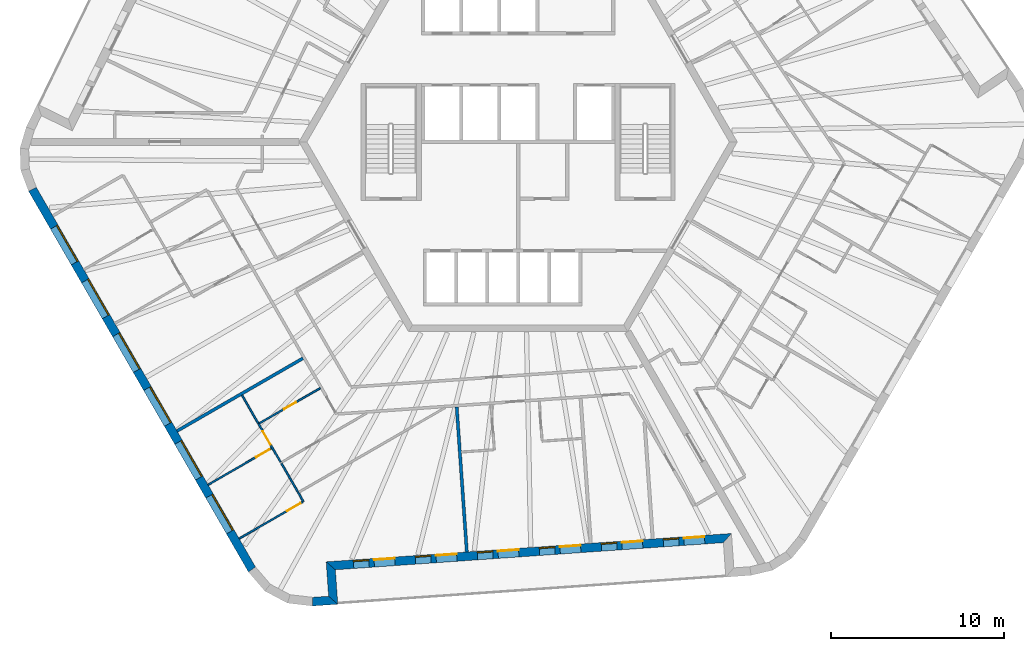
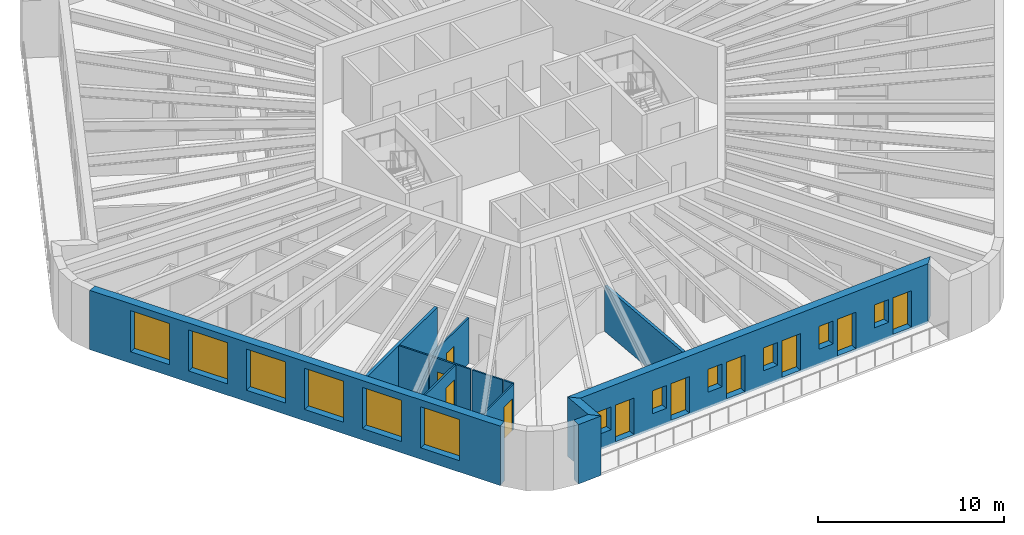
# One storey, part 3 of 12: 13 walls, 12 windows, 10 doors, 22 openings.
"""IFC4 building model written with IfcOpenShell, lengths in metres."""

from ifc_helpers import new_model, si_unit, direction, frame, frame_2d, origin, place, context, subcontext, project, spatial, polyline, rectangle, outline, extrude, material, layer, layer_set, type_object, element, fill, save


model = new_model("IFC4")

# Units and contexts
model_context = context("Model", 3, precision=1e-05, world=origin(), true_north=direction((0.0, 1.0)))
body_context = subcontext(model_context, "Body", "Model", "MODEL_VIEW")
ifc_project = project(units=[si_unit("LENGTHUNIT", "METRE"), si_unit("AREAUNIT", "SQUARE_METRE"), si_unit("VOLUMEUNIT", "CUBIC_METRE"), si_unit("PLANEANGLEUNIT", "RADIAN"), si_unit("MASSUNIT", "GRAM", prefix="KILO")], contexts=[model_context])

# Site, building, storey
site_placement = place(None, origin())
site = spatial("IfcSite", under=ifc_project, at=site_placement, CompositionType="ELEMENT")
building_placement = place(site_placement, origin())
building = spatial("IfcBuilding", under=site, at=building_placement, Name="Tarnside Tower", CompositionType="ELEMENT")
storey_placement = place(building_placement, frame((0.0, 0.0, 271.800048828125)))
storey = spatial("IfcBuildingStorey", under=building, at=storey_placement, Name="L65", CompositionType="ELEMENT", Elevation=271.800048828125)

# Wall, opening, door
ifc_material_1 = material(Name="Gypsum board partition on steel studs", Category="steel")
ifc_layer_1 = layer(ifc_material_1, 0.10009765625)
ifc_layer_set_1 = layer_set([ifc_layer_1], Name="Bathroom wall 100")
wall_type_1 = type_object("IfcWallType", Name="Bathroom wall 100", PredefinedType="PARTITIONING", material=ifc_layer_set_1)
wall_1_placement = place(storey_placement, frame((-11.47509765625, -14.274658203125, 0.0), z_axis=(0.0, 0.0, 1.0), x_axis=(-0.866019999656, -0.500009360108, 0.0)))
wall_1 = element("IfcWall", 1, at=wall_1_placement, inside=storey, type_object=wall_type_1, Name="Bathroom wall 21130", PredefinedType="PARTITIONING", context=body_context, shape_type="SweptSolid", body=[
    extrude(rectangle(XDim=4.125, YDim=0.10009765625, at=frame_2d((2.0625, 0.0))), origin(), (0.0, 0.0, 1.0), 2.98779296875),
])
opening_1_placement = place(wall_1_placement, frame((1.625, 0.0, 0.0)))
opening_1 = element("IfcOpeningElement", 2, at=opening_1_placement, cuts=wall_1, Name="Opening D-B1", PredefinedType="OPENING", context=body_context, shape_type="SweptSolid", body=[
    extrude(rectangle(XDim=0.800048828125, YDim=2.10009765625, at=frame_2d((0.39990234375, 1.050048828125))), frame((0.0, 0.06005859375, 0.0), z_axis=(0.0, -1.0, 0.0), x_axis=(1.0, 0.0, 0.0)), (0.0, 0.0, 1.0), 0.1201171875),
])
ifc_material_2 = material(Name="Timber door leaf", Category="wood")
door_type_1 = type_object("IfcDoorType", Name="Bathroom door 800", OperationType="NOTDEFINED", PredefinedType="DOOR", material=ifc_material_2)
door_1_placement = place(opening_1_placement, origin())
door_1 = element("IfcDoor", 3, at=door_1_placement, inside=storey, type_object=door_type_1, Name="Bathroom door 21034", OperationType="SINGLE_SWING_RIGHT", OverallHeight=2.10009765625, OverallWidth=0.800048828125, PredefinedType="DOOR", context=body_context, shape_type="SweptSolid", body=[
    extrude(rectangle(XDim=0.800048828125, YDim=2.10009765625, at=frame_2d((0.39990234375, 1.050048828125))), frame((0.0, 0.02490234375, 0.0), z_axis=(0.0, -1.0, 0.0), x_axis=(1.0, 0.0, 0.0)), (0.0, 0.0, 1.0), 0.050048828125),
])
fill(opening_1, door_1)

# Walls
wall_2_placement = place(storey_placement, frame((-16.00244140625, -14.68310546875, 0.0), z_axis=(0.0, 0.0, 1.0), x_axis=(0.500059143742, -0.865991254436, 0.0)))
element("IfcWall", 4, at=wall_2_placement, inside=storey, type_object=wall_type_1, Name="Bathroom wall 21134", PredefinedType="PARTITIONING", context=body_context, shape_type="SweptSolid", body=[
    extrude(rectangle(XDim=1.862060546875, YDim=0.10009765625, at=frame_2d((0.93115234375, 0.0))), origin(), (0.0, 0.0, 1.0), 2.98779296875),
])
wall_3_placement = place(storey_placement, frame((-12.7724609375, -20.277587890625, 0.0), z_axis=(0.0, 0.0, 1.0), x_axis=(-0.499967155389, 0.866044365799, 0.0)))
element("IfcWall", 5, at=wall_3_placement, inside=storey, type_object=wall_type_1, Name="Bathroom wall 21136", PredefinedType="PARTITIONING", context=body_context, shape_type="SweptSolid", body=[
    extrude(rectangle(XDim=1.900146484375, YDim=0.10009765625, at=frame_2d((0.9501953125, 0.0))), origin(), (0.0, 0.0, 1.0), 2.98779296875),
])
ifc_layer_2 = layer(ifc_material_1, 0.179931640625)
ifc_layer_set_2 = layer_set([ifc_layer_2], Name="Demising wall 180 EI 60")
wall_type_2 = type_object("IfcWallType", Name="Demising wall 180 EI 60", PredefinedType="PARTITIONING", material=ifc_layer_set_2)
wall_4_placement = place(storey_placement, frame((-19.771240234375, -16.755126953125, 0.0), z_axis=(0.0, 0.0, 1.0), x_axis=(0.866026819143, 0.499997548519, 0.0)))
element("IfcWall", 6, at=wall_4_placement, inside=storey, type_object=wall_type_2, Name="Demising wall 21118", PredefinedType="PARTITIONING", context=body_context, shape_type="SweptSolid", body=[
    extrude(rectangle(XDim=8.4248046875, YDim=0.179931640625, at=frame_2d((4.21240234375, 0.0))), origin(), (0.0, 0.0, 1.0), 2.98779296875),
])
wall_5_placement = place(storey_placement, frame((-2.97412109375, -23.765380859375, 0.0), z_axis=(0.0, 0.0, 1.0), x_axis=(-0.069749826803, 0.997564515037, 0.0)))
element("IfcWall", 7, at=wall_5_placement, inside=storey, type_object=wall_type_2, Name="Demising wall 21128", PredefinedType="PARTITIONING", context=body_context, shape_type="SweptSolid", body=[
    extrude(rectangle(XDim=8.425048828125, YDim=0.179931640625, at=frame_2d((4.21240234375, 0.0))), origin(), (0.0, 0.0, 1.0), 2.98779296875),
])
ifc_material_3 = material(Name="Dark zinc cladding")
ifc_layer_3 = layer(ifc_material_3, 0.10205078125)
ifc_material_4 = material(Name="Concrete C60/75 precast", Category="concrete")
ifc_layer_4 = layer(ifc_material_4, 0.298095703125)
ifc_material_5 = material(Name="Mineral wool insulation")
ifc_layer_5 = layer(ifc_material_5, 0.10009765625)
ifc_layer_set_3 = layer_set([ifc_layer_3, ifc_layer_4, ifc_layer_5], Name="Loggia wall 500 zinc faced")
wall_type_3 = type_object("IfcWallType", Name="Loggia wall 500 zinc faced", PredefinedType="SOLIDWALL", material=ifc_layer_set_3)
wall_6_placement = place(storey_placement, frame((-11.91748046875, -26.646240234375, -0.150146484375), z_axis=(0.0, 0.0, 1.0), x_axis=(0.997562933087, 0.069772448216, 0.0)))
element("IfcWall", 8, at=wall_6_placement, inside=storey, type_object=wall_type_3, Name="Tube wall L65 F4 stub 16", PredefinedType="SOLIDWALL", context=body_context, shape_type="SweptSolid", body=[
    extrude(outline(polyline([(-0.0234375, -0.25), (1.4501953125, -0.25), (0.9501953125, 0.25), (0.0234375, 0.25), (-0.0234375, -0.25)])), origin(), (0.0, 0.0, 1.0), 3.900146484375),
])
wall_7_placement = place(storey_placement, frame((-10.72021484375, -26.5625, -0.150146484375), z_axis=(0.0, 0.0, 1.0), x_axis=(-0.069824268692, 0.99755930726, 0.0)))
element("IfcWall", 9, at=wall_7_placement, inside=storey, type_object=wall_type_3, Name="Tube wall L65 F4 return 17", PredefinedType="SOLIDWALL", context=body_context, shape_type="SweptSolid", body=[
    extrude(outline(polyline([(-0.25, -0.25), (1.75, -0.25), (2.25, 0.25), (0.25, 0.25), (-0.25, -0.25)])), origin(), (0.0, 0.0, 1.0), 3.900146484375),
])

# Wall, openings, doors, windows
wall_8_placement = place(storey_placement, frame((-10.85986328125, -24.5673828125, -0.150146484375), z_axis=(0.0, 0.0, 1.0), x_axis=(0.997564329317, 0.06975248292, 0.0)))
wall_8 = element("IfcWall", 10, at=wall_8_placement, inside=storey, type_object=wall_type_3, Name="Tube wall L65 F4 back 18", PredefinedType="SOLIDWALL", context=body_context, shape_type="SweptSolid", body=[
    extrude(outline(polyline([(0.25, -0.25), (22.794677734375, -0.25), (23.294677734375, 0.25), (-0.25, 0.25), (0.25, -0.25)])), origin(), (0.0, 0.0, 1.0), 3.900146484375),
])
opening_2_placement = place(wall_8_placement, frame((1.322509765625, 0.0, 1.050048828125)))
opening_2 = element("IfcOpeningElement", 11, at=opening_2_placement, cuts=wall_8, Name="Opening WL500", PredefinedType="OPENING", context=body_context, shape_type="SweptSolid", body=[
    extrude(rectangle(XDim=0.89990234375, YDim=1.5, at=frame_2d((0.449951171875, 0.75))), frame((0.0, 0.260009765625, 0.0), z_axis=(0.0, -1.0, 0.0), x_axis=(1.0, 0.0, 0.0)), (0.0, 0.0, 1.0), 0.52001953125),
])
opening_3_placement = place(wall_8_placement, frame((2.5224609375, 0.0, 0.14990234375)))
opening_3 = element("IfcOpeningElement", 12, at=opening_3_placement, cuts=wall_8, Name="Opening DB500", PredefinedType="OPENING", context=body_context, shape_type="SweptSolid", body=[
    extrude(rectangle(XDim=1.199951171875, YDim=2.39990234375, at=frame_2d((0.60009765625, 1.199951171875))), frame((0.0, 0.260009765625, 0.0), z_axis=(0.0, -1.0, 0.0), x_axis=(1.0, 0.0, 0.0)), (0.0, 0.0, 1.0), 0.52001953125),
])
opening_4_placement = place(wall_8_placement, frame((4.92236328125, 0.0, 1.050048828125)))
opening_4 = element("IfcOpeningElement", 13, at=opening_4_placement, cuts=wall_8, Name="Opening WL500", PredefinedType="OPENING", context=body_context, shape_type="SweptSolid", body=[
    extrude(rectangle(XDim=0.89990234375, YDim=1.5, at=frame_2d((0.449951171875, 0.75))), frame((0.0, 0.260009765625, 0.0), z_axis=(0.0, -1.0, 0.0), x_axis=(1.0, 0.0, 0.0)), (0.0, 0.0, 1.0), 0.52001953125),
])
opening_5_placement = place(wall_8_placement, frame((6.122314453125, 0.0, 0.14990234375)))
opening_5 = element("IfcOpeningElement", 14, at=opening_5_placement, cuts=wall_8, Name="Opening DB500", PredefinedType="OPENING", context=body_context, shape_type="SweptSolid", body=[
    extrude(rectangle(XDim=1.199951171875, YDim=2.39990234375, at=frame_2d((0.60009765625, 1.199951171875))), frame((0.0, 0.260009765625, 0.0), z_axis=(0.0, -1.0, 0.0), x_axis=(1.0, 0.0, 0.0)), (0.0, 0.0, 1.0), 0.52001953125),
])
opening_6_placement = place(wall_8_placement, frame((8.5224609375, 0.0, 1.050048828125)))
opening_6 = element("IfcOpeningElement", 15, at=opening_6_placement, cuts=wall_8, Name="Opening WL500", PredefinedType="OPENING", context=body_context, shape_type="SweptSolid", body=[
    extrude(rectangle(XDim=0.89990234375, YDim=1.5, at=frame_2d((0.449951171875, 0.75))), frame((0.0, 0.260009765625, 0.0), z_axis=(0.0, -1.0, 0.0), x_axis=(1.0, 0.0, 0.0)), (0.0, 0.0, 1.0), 0.52001953125),
])
opening_7_placement = place(wall_8_placement, frame((9.722412109375, 0.0, 0.14990234375)))
opening_7 = element("IfcOpeningElement", 16, at=opening_7_placement, cuts=wall_8, Name="Opening DB500", PredefinedType="OPENING", context=body_context, shape_type="SweptSolid", body=[
    extrude(rectangle(XDim=1.199951171875, YDim=2.39990234375, at=frame_2d((0.60009765625, 1.199951171875))), frame((0.0, 0.260009765625, 0.0), z_axis=(0.0, -1.0, 0.0), x_axis=(1.0, 0.0, 0.0)), (0.0, 0.0, 1.0), 0.52001953125),
])
opening_8_placement = place(wall_8_placement, frame((12.122314453125, 0.0, 1.050048828125)))
opening_8 = element("IfcOpeningElement", 17, at=opening_8_placement, cuts=wall_8, Name="Opening WL500", PredefinedType="OPENING", context=body_context, shape_type="SweptSolid", body=[
    extrude(rectangle(XDim=0.89990234375, YDim=1.5, at=frame_2d((0.449951171875, 0.75))), frame((0.0, 0.260009765625, 0.0), z_axis=(0.0, -1.0, 0.0), x_axis=(1.0, 0.0, 0.0)), (0.0, 0.0, 1.0), 0.52001953125),
])
opening_9_placement = place(wall_8_placement, frame((13.322509765625, 0.0, 0.14990234375)))
opening_9 = element("IfcOpeningElement", 18, at=opening_9_placement, cuts=wall_8, Name="Opening DB500", PredefinedType="OPENING", context=body_context, shape_type="SweptSolid", body=[
    extrude(rectangle(XDim=1.199951171875, YDim=2.39990234375, at=frame_2d((0.60009765625, 1.199951171875))), frame((0.0, 0.260009765625, 0.0), z_axis=(0.0, -1.0, 0.0), x_axis=(1.0, 0.0, 0.0)), (0.0, 0.0, 1.0), 0.52001953125),
])
opening_10_placement = place(wall_8_placement, frame((15.722412109375, 0.0, 1.050048828125)))
opening_10 = element("IfcOpeningElement", 19, at=opening_10_placement, cuts=wall_8, Name="Opening WL500", PredefinedType="OPENING", context=body_context, shape_type="SweptSolid", body=[
    extrude(rectangle(XDim=0.89990234375, YDim=1.5, at=frame_2d((0.449951171875, 0.75))), frame((0.0, 0.260009765625, 0.0), z_axis=(0.0, -1.0, 0.0), x_axis=(1.0, 0.0, 0.0)), (0.0, 0.0, 1.0), 0.52001953125),
])
opening_11_placement = place(wall_8_placement, frame((16.92236328125, 0.0, 0.14990234375)))
opening_11 = element("IfcOpeningElement", 20, at=opening_11_placement, cuts=wall_8, Name="Opening DB500", PredefinedType="OPENING", context=body_context, shape_type="SweptSolid", body=[
    extrude(rectangle(XDim=1.199951171875, YDim=2.39990234375, at=frame_2d((0.60009765625, 1.199951171875))), frame((0.0, 0.260009765625, 0.0), z_axis=(0.0, -1.0, 0.0), x_axis=(1.0, 0.0, 0.0)), (0.0, 0.0, 1.0), 0.52001953125),
])
opening_12_placement = place(wall_8_placement, frame((19.322509765625, 0.0, 1.050048828125)))
opening_12 = element("IfcOpeningElement", 21, at=opening_12_placement, cuts=wall_8, Name="Opening WL500", PredefinedType="OPENING", context=body_context, shape_type="SweptSolid", body=[
    extrude(rectangle(XDim=0.89990234375, YDim=1.5, at=frame_2d((0.449951171875, 0.75))), frame((0.0, 0.260009765625, 0.0), z_axis=(0.0, -1.0, 0.0), x_axis=(1.0, 0.0, 0.0)), (0.0, 0.0, 1.0), 0.52001953125),
])
opening_13_placement = place(wall_8_placement, frame((20.5224609375, 0.0, 0.14990234375)))
opening_13 = element("IfcOpeningElement", 22, at=opening_13_placement, cuts=wall_8, Name="Opening DB500", PredefinedType="OPENING", context=body_context, shape_type="SweptSolid", body=[
    extrude(rectangle(XDim=1.199951171875, YDim=2.39990234375, at=frame_2d((0.60009765625, 1.199951171875))), frame((0.0, 0.260009765625, 0.0), z_axis=(0.0, -1.0, 0.0), x_axis=(1.0, 0.0, 0.0)), (0.0, 0.0, 1.0), 0.52001953125),
])
ifc_material_6 = material(Name="Aluminium-framed double glazing", Category="aluminium")
door_type_2 = type_object("IfcDoorType", Name="Balcony sliding door 1200 x 2400 in 500 wall", OperationType="SLIDING_TO_LEFT", PredefinedType="DOOR", material=ifc_material_6)
door_2_placement = place(opening_3_placement, frame((0.0, 0.1748046875, 0.0)))
door_2 = element("IfcDoor", 23, at=door_2_placement, inside=storey, type_object=door_type_2, Name="E.BD.L65.F4.00", OperationType="SLIDING_TO_LEFT", OverallHeight=2.39990234375, OverallWidth=1.199951171875, PredefinedType="DOOR", context=body_context, shape_type="SweptSolid", body=[
    extrude(rectangle(XDim=1.199951171875, YDim=2.39990234375, at=frame_2d((0.60009765625, 1.199951171875))), frame((0.0, 0.02490234375, 0.0), z_axis=(0.0, -1.0, 0.0), x_axis=(1.0, 0.0, 0.0)), (0.0, 0.0, 1.0), 0.050048828125),
])
fill(opening_3, door_2)
door_3_placement = place(opening_5_placement, frame((0.0, 0.1748046875, 0.0)))
door_3 = element("IfcDoor", 24, at=door_3_placement, inside=storey, type_object=door_type_2, Name="E.BD.L65.F4.01", OperationType="SLIDING_TO_LEFT", OverallHeight=2.39990234375, OverallWidth=1.199951171875, PredefinedType="DOOR", context=body_context, shape_type="SweptSolid", body=[
    extrude(rectangle(XDim=1.199951171875, YDim=2.39990234375, at=frame_2d((0.60009765625, 1.199951171875))), frame((0.0, 0.02490234375, 0.0), z_axis=(0.0, -1.0, 0.0), x_axis=(1.0, 0.0, 0.0)), (0.0, 0.0, 1.0), 0.050048828125),
])
fill(opening_5, door_3)
door_4_placement = place(opening_7_placement, frame((0.0, 0.1748046875, 0.0)))
door_4 = element("IfcDoor", 25, at=door_4_placement, inside=storey, type_object=door_type_2, Name="E.BD.L65.F4.02", OperationType="SLIDING_TO_LEFT", OverallHeight=2.39990234375, OverallWidth=1.199951171875, PredefinedType="DOOR", context=body_context, shape_type="SweptSolid", body=[
    extrude(rectangle(XDim=1.199951171875, YDim=2.39990234375, at=frame_2d((0.60009765625, 1.199951171875))), frame((0.0, 0.02490234375, 0.0), z_axis=(0.0, -1.0, 0.0), x_axis=(1.0, 0.0, 0.0)), (0.0, 0.0, 1.0), 0.050048828125),
])
fill(opening_7, door_4)
door_5_placement = place(opening_9_placement, frame((0.0, 0.1748046875, 0.0)))
door_5 = element("IfcDoor", 26, at=door_5_placement, inside=storey, type_object=door_type_2, Name="E.BD.L65.F4.03", OperationType="SLIDING_TO_LEFT", OverallHeight=2.39990234375, OverallWidth=1.199951171875, PredefinedType="DOOR", context=body_context, shape_type="SweptSolid", body=[
    extrude(rectangle(XDim=1.199951171875, YDim=2.39990234375, at=frame_2d((0.60009765625, 1.199951171875))), frame((0.0, 0.02490234375, 0.0), z_axis=(0.0, -1.0, 0.0), x_axis=(1.0, 0.0, 0.0)), (0.0, 0.0, 1.0), 0.050048828125),
])
fill(opening_9, door_5)
door_6_placement = place(opening_11_placement, frame((0.0, 0.1748046875, 0.0)))
door_6 = element("IfcDoor", 27, at=door_6_placement, inside=storey, type_object=door_type_2, Name="E.BD.L65.F4.04", OperationType="SLIDING_TO_LEFT", OverallHeight=2.39990234375, OverallWidth=1.199951171875, PredefinedType="DOOR", context=body_context, shape_type="SweptSolid", body=[
    extrude(rectangle(XDim=1.199951171875, YDim=2.39990234375, at=frame_2d((0.60009765625, 1.199951171875))), frame((0.0, 0.02490234375, 0.0), z_axis=(0.0, -1.0, 0.0), x_axis=(1.0, 0.0, 0.0)), (0.0, 0.0, 1.0), 0.050048828125),
])
fill(opening_11, door_6)
door_7_placement = place(opening_13_placement, frame((0.0, 0.1748046875, 0.0)))
door_7 = element("IfcDoor", 28, at=door_7_placement, inside=storey, type_object=door_type_2, Name="E.BD.L65.F4.05", OperationType="SLIDING_TO_LEFT", OverallHeight=2.39990234375, OverallWidth=1.199951171875, PredefinedType="DOOR", context=body_context, shape_type="SweptSolid", body=[
    extrude(rectangle(XDim=1.199951171875, YDim=2.39990234375, at=frame_2d((0.60009765625, 1.199951171875))), frame((0.0, 0.02490234375, 0.0), z_axis=(0.0, -1.0, 0.0), x_axis=(1.0, 0.0, 0.0)), (0.0, 0.0, 1.0), 0.050048828125),
])
fill(opening_13, door_7)
window_type_1 = type_object("IfcWindowType", Name="Loggia window 900 x 1500 in 500 wall", PartitioningType="SINGLE_PANEL", PredefinedType="WINDOW", material=ifc_material_6)
window_1_placement = place(opening_2_placement, frame((0.0, 0.179931640625, 0.0)))
window_1 = element("IfcWindow", 29, at=window_1_placement, inside=storey, type_object=window_type_1, Name="E.LW.L65.F4.00", OverallHeight=1.5, OverallWidth=0.89990234375, PartitioningType="SINGLE_PANEL", PredefinedType="WINDOW", context=body_context, shape_type="SweptSolid", body=[
    extrude(rectangle(XDim=0.89990234375, YDim=1.5, at=frame_2d((0.449951171875, 0.75))), frame((0.0, 0.030029296875, 0.0), z_axis=(0.0, -1.0, 0.0), x_axis=(1.0, 0.0, 0.0)), (0.0, 0.0, 1.0), 0.06005859375),
])
fill(opening_2, window_1)
window_2_placement = place(opening_4_placement, frame((0.0, 0.179931640625, 0.0)))
window_2 = element("IfcWindow", 30, at=window_2_placement, inside=storey, type_object=window_type_1, Name="E.LW.L65.F4.01", OverallHeight=1.5, OverallWidth=0.89990234375, PartitioningType="SINGLE_PANEL", PredefinedType="WINDOW", context=body_context, shape_type="SweptSolid", body=[
    extrude(rectangle(XDim=0.89990234375, YDim=1.5, at=frame_2d((0.449951171875, 0.75))), frame((0.0, 0.030029296875, 0.0), z_axis=(0.0, -1.0, 0.0), x_axis=(1.0, 0.0, 0.0)), (0.0, 0.0, 1.0), 0.06005859375),
])
fill(opening_4, window_2)
window_3_placement = place(opening_6_placement, frame((0.0, 0.179931640625, 0.0)))
window_3 = element("IfcWindow", 31, at=window_3_placement, inside=storey, type_object=window_type_1, Name="E.LW.L65.F4.02", OverallHeight=1.5, OverallWidth=0.89990234375, PartitioningType="SINGLE_PANEL", PredefinedType="WINDOW", context=body_context, shape_type="SweptSolid", body=[
    extrude(rectangle(XDim=0.89990234375, YDim=1.5, at=frame_2d((0.449951171875, 0.75))), frame((0.0, 0.030029296875, 0.0), z_axis=(0.0, -1.0, 0.0), x_axis=(1.0, 0.0, 0.0)), (0.0, 0.0, 1.0), 0.06005859375),
])
fill(opening_6, window_3)
window_4_placement = place(opening_8_placement, frame((0.0, 0.179931640625, 0.0)))
window_4 = element("IfcWindow", 32, at=window_4_placement, inside=storey, type_object=window_type_1, Name="E.LW.L65.F4.03", OverallHeight=1.5, OverallWidth=0.89990234375, PartitioningType="SINGLE_PANEL", PredefinedType="WINDOW", context=body_context, shape_type="SweptSolid", body=[
    extrude(rectangle(XDim=0.89990234375, YDim=1.5, at=frame_2d((0.449951171875, 0.75))), frame((0.0, 0.030029296875, 0.0), z_axis=(0.0, -1.0, 0.0), x_axis=(1.0, 0.0, 0.0)), (0.0, 0.0, 1.0), 0.06005859375),
])
fill(opening_8, window_4)
window_5_placement = place(opening_10_placement, frame((0.0, 0.179931640625, 0.0)))
window_5 = element("IfcWindow", 33, at=window_5_placement, inside=storey, type_object=window_type_1, Name="E.LW.L65.F4.04", OverallHeight=1.5, OverallWidth=0.89990234375, PartitioningType="SINGLE_PANEL", PredefinedType="WINDOW", context=body_context, shape_type="SweptSolid", body=[
    extrude(rectangle(XDim=0.89990234375, YDim=1.5, at=frame_2d((0.449951171875, 0.75))), frame((0.0, 0.030029296875, 0.0), z_axis=(0.0, -1.0, 0.0), x_axis=(1.0, 0.0, 0.0)), (0.0, 0.0, 1.0), 0.06005859375),
])
fill(opening_10, window_5)
window_6_placement = place(opening_12_placement, frame((0.0, 0.179931640625, 0.0)))
window_6 = element("IfcWindow", 34, at=window_6_placement, inside=storey, type_object=window_type_1, Name="E.LW.L65.F4.05", OverallHeight=1.5, OverallWidth=0.89990234375, PartitioningType="SINGLE_PANEL", PredefinedType="WINDOW", context=body_context, shape_type="SweptSolid", body=[
    extrude(rectangle(XDim=0.89990234375, YDim=1.5, at=frame_2d((0.449951171875, 0.75))), frame((0.0, 0.030029296875, 0.0), z_axis=(0.0, -1.0, 0.0), x_axis=(1.0, 0.0, 0.0)), (0.0, 0.0, 1.0), 0.06005859375),
])
fill(opening_12, window_6)

# Wall
ifc_layer_6 = layer(ifc_material_1, 0.10009765625)
ifc_layer_set_4 = layer_set([ifc_layer_6], Name="Partition 100")
wall_type_4 = type_object("IfcWallType", Name="Partition 100", PredefinedType="PARTITIONING", material=ifc_layer_set_4)
wall_9_placement = place(storey_placement, frame((-12.748291015625, -20.3193359375, 0.0), z_axis=(0.0, 0.0, 1.0), x_axis=(0.500108649621, -0.865962665808, 0.0)))
element("IfcWall", 35, at=wall_9_placement, inside=storey, type_object=wall_type_4, Name="Partition wall 21125", PredefinedType="PARTITIONING", context=body_context, shape_type="SweptSolid", body=[
    extrude(rectangle(XDim=0.601806640625, YDim=0.10009765625, at=frame_2d((0.30078125, 0.0))), origin(), (0.0, 0.0, 1.0), 2.98779296875),
])

# Wall, opening, door
wall_10_placement = place(storey_placement, frame((-12.49072265625, -20.865478515625, 0.0), z_axis=(0.0, 0.0, 1.0), x_axis=(-0.866014341725, -0.50001915956, 0.0)))
wall_10 = element("IfcWall", 36, at=wall_10_placement, inside=storey, type_object=wall_type_4, Name="Partition wall 21126", PredefinedType="PARTITIONING", context=body_context, shape_type="SweptSolid", body=[
    extrude(rectangle(XDim=4.249755859375, YDim=0.10009765625, at=frame_2d((2.125, 0.0))), origin(), (0.0, 0.0, 1.0), 2.98779296875),
])
opening_14_placement = place(wall_10_placement, frame((0.14990234375, 0.0, 0.0)))
opening_14 = element("IfcOpeningElement", 37, at=opening_14_placement, cuts=wall_10, Name="Opening D-I1", PredefinedType="OPENING", context=body_context, shape_type="SweptSolid", body=[
    extrude(rectangle(XDim=0.89990234375, YDim=2.10009765625, at=frame_2d((0.449951171875, 1.050048828125))), frame((0.0, 0.06005859375, 0.0), z_axis=(0.0, -1.0, 0.0), x_axis=(1.0, 0.0, 0.0)), (0.0, 0.0, 1.0), 0.1201171875),
])
door_type_3 = type_object("IfcDoorType", Name="Internal door 900", OperationType="NOTDEFINED", PredefinedType="DOOR", material=ifc_material_2)
door_8_placement = place(opening_14_placement, origin())
door_8 = element("IfcDoor", 38, at=door_8_placement, inside=storey, type_object=door_type_3, Name="Internal door 21040", OperationType="SINGLE_SWING_RIGHT", OverallHeight=2.10009765625, OverallWidth=0.89990234375, PredefinedType="DOOR", context=body_context, shape_type="SweptSolid", body=[
    extrude(rectangle(XDim=0.89990234375, YDim=2.10009765625, at=frame_2d((0.449951171875, 1.050048828125))), frame((0.0, 0.02490234375, 0.0), z_axis=(0.0, -1.0, 0.0), x_axis=(1.0, 0.0, 0.0)), (0.0, 0.0, 1.0), 0.050048828125),
])
fill(opening_14, door_8)

wall_11_placement = place(storey_placement, frame((-15.04833984375, -16.33544921875, 0.0), z_axis=(0.0, 0.0, 1.0), x_axis=(0.500014808323, -0.866016854026, 0.0)))
wall_11 = element("IfcWall", 39, at=wall_11_placement, inside=storey, type_object=wall_type_4, Name="Partition wall 21131", PredefinedType="PARTITIONING", context=body_context, shape_type="SweptSolid", body=[
    extrude(rectangle(XDim=2.55419921875, YDim=0.10009765625, at=frame_2d((1.277099609375, 0.0))), origin(), (0.0, 0.0, 1.0), 2.98779296875),
])
opening_15_placement = place(wall_11_placement, frame((0.501953125, 0.0, 0.0)))
opening_15 = element("IfcOpeningElement", 40, at=opening_15_placement, cuts=wall_11, Name="Opening D-I1", PredefinedType="OPENING", context=body_context, shape_type="SweptSolid", body=[
    extrude(rectangle(XDim=0.89990234375, YDim=2.10009765625, at=frame_2d((0.449951171875, 1.050048828125))), frame((0.0, 0.06005859375, 0.0), z_axis=(0.0, -1.0, 0.0), x_axis=(1.0, 0.0, 0.0)), (0.0, 0.0, 1.0), 0.1201171875),
])
door_9_placement = place(opening_15_placement, origin())
door_9 = element("IfcDoor", 41, at=door_9_placement, inside=storey, type_object=door_type_3, Name="Internal door 21036", OperationType="SINGLE_SWING_LEFT", OverallHeight=2.10009765625, OverallWidth=0.89990234375, PredefinedType="DOOR", context=body_context, shape_type="SweptSolid", body=[
    extrude(rectangle(XDim=0.89990234375, YDim=2.10009765625, at=frame_2d((0.449951171875, 1.050048828125))), frame((0.0, 0.02490234375, 0.0), z_axis=(0.0, -1.0, 0.0), x_axis=(1.0, 0.0, 0.0)), (0.0, 0.0, 1.0), 0.050048828125),
])
fill(opening_15, door_9)

wall_12_placement = place(storey_placement, frame((-17.97119140625, -19.872802734375, 0.0), z_axis=(0.0, 0.0, 1.0), x_axis=(0.866028703517, 0.499994284652, 0.0)))
wall_12 = element("IfcWall", 42, at=wall_12_placement, inside=storey, type_object=wall_type_4, Name="Partition wall 21135", PredefinedType="PARTITIONING", context=body_context, shape_type="SweptSolid", body=[
    extrude(rectangle(XDim=4.25, YDim=0.10009765625, at=frame_2d((2.125, 0.0))), origin(), (0.0, 0.0, 1.0), 2.98779296875),
])
opening_16_placement = place(wall_12_placement, frame((3.199951171875, 0.0, 0.0)))
opening_16 = element("IfcOpeningElement", 43, at=opening_16_placement, cuts=wall_12, Name="Opening D-I1", PredefinedType="OPENING", context=body_context, shape_type="SweptSolid", body=[
    extrude(rectangle(XDim=0.89990234375, YDim=2.10009765625, at=frame_2d((0.449951171875, 1.050048828125))), frame((0.0, 0.06005859375, 0.0), z_axis=(0.0, -1.0, 0.0), x_axis=(1.0, 0.0, 0.0)), (0.0, 0.0, 1.0), 0.1201171875),
])
door_10_placement = place(opening_16_placement, origin())
door_10 = element("IfcDoor", 44, at=door_10_placement, inside=storey, type_object=door_type_3, Name="Internal door 21039", OperationType="SINGLE_SWING_RIGHT", OverallHeight=2.10009765625, OverallWidth=0.89990234375, PredefinedType="DOOR", context=body_context, shape_type="SweptSolid", body=[
    extrude(rectangle(XDim=0.89990234375, YDim=2.10009765625, at=frame_2d((0.449951171875, 1.050048828125))), frame((0.0, 0.02490234375, 0.0), z_axis=(0.0, -1.0, 0.0), x_axis=(1.0, 0.0, 0.0)), (0.0, 0.0, 1.0), 0.050048828125),
])
fill(opening_16, door_10)

# Wall, openings, windows
ifc_material_7 = material(Name="Facing brick", Category="masonry")
ifc_layer_7 = layer(ifc_material_7, 0.10205078125)
ifc_layer_8 = layer(ifc_material_4, 0.298095703125)
ifc_layer_9 = layer(ifc_material_5, 0.10009765625)
ifc_layer_set_5 = layer_set([ifc_layer_7, ifc_layer_8, ifc_layer_9], Name="Tube wall 500 brick faced")
wall_type_5 = type_object("IfcWallType", Name="Tube wall 500 brick faced", PredefinedType="SOLIDWALL", material=ifc_layer_set_5)
wall_13_placement = place(storey_placement, frame((-28.14892578125, -2.74462890625, -0.150146484375), z_axis=(0.0, 0.0, 1.0), x_axis=(0.500003737743, -0.866023245787, 0.0)))
wall_13 = element("IfcWall", 45, at=wall_13_placement, inside=storey, type_object=wall_type_5, Name="Tube wall L65 F3 flush 12", PredefinedType="SOLIDWALL", context=body_context, shape_type="SweptSolid", body=[
    extrude(outline(polyline([(-0.0205078125, -0.25), (25.468017578125, -0.25), (25.421142578125, 0.25), (0.0205078125, 0.25), (-0.0205078125, -0.25)])), origin(), (0.0, 0.0, 1.0), 3.900146484375),
])
opening_17_placement = place(wall_13_placement, frame((2.5224609375, 0.0, 0.75)))
opening_17 = element("IfcOpeningElement", 46, at=opening_17_placement, cuts=wall_13, Name="Opening WR", PredefinedType="OPENING", context=body_context, shape_type="SweptSolid", body=[
    extrude(rectangle(XDim=2.39990234375, YDim=2.699951171875, at=frame_2d((1.199951171875, 1.35009765625))), frame((0.0, 0.260009765625, 0.0), z_axis=(0.0, -1.0, 0.0), x_axis=(1.0, 0.0, 0.0)), (0.0, 0.0, 1.0), 0.52001953125),
])
opening_18_placement = place(wall_13_placement, frame((6.122314453125, 0.0, 0.75)))
opening_18 = element("IfcOpeningElement", 47, at=opening_18_placement, cuts=wall_13, Name="Opening WR", PredefinedType="OPENING", context=body_context, shape_type="SweptSolid", body=[
    extrude(rectangle(XDim=2.39990234375, YDim=2.699951171875, at=frame_2d((1.199951171875, 1.35009765625))), frame((0.0, 0.260009765625, 0.0), z_axis=(0.0, -1.0, 0.0), x_axis=(1.0, 0.0, 0.0)), (0.0, 0.0, 1.0), 0.52001953125),
])
opening_19_placement = place(wall_13_placement, frame((9.722412109375, 0.0, 0.75)))
opening_19 = element("IfcOpeningElement", 48, at=opening_19_placement, cuts=wall_13, Name="Opening WR", PredefinedType="OPENING", context=body_context, shape_type="SweptSolid", body=[
    extrude(rectangle(XDim=2.39990234375, YDim=2.699951171875, at=frame_2d((1.199951171875, 1.35009765625))), frame((0.0, 0.260009765625, 0.0), z_axis=(0.0, -1.0, 0.0), x_axis=(1.0, 0.0, 0.0)), (0.0, 0.0, 1.0), 0.52001953125),
])
opening_20_placement = place(wall_13_placement, frame((13.322509765625, 0.0, 0.75)))
opening_20 = element("IfcOpeningElement", 49, at=opening_20_placement, cuts=wall_13, Name="Opening WR", PredefinedType="OPENING", context=body_context, shape_type="SweptSolid", body=[
    extrude(rectangle(XDim=2.39990234375, YDim=2.699951171875, at=frame_2d((1.199951171875, 1.35009765625))), frame((0.0, 0.260009765625, 0.0), z_axis=(0.0, -1.0, 0.0), x_axis=(1.0, 0.0, 0.0)), (0.0, 0.0, 1.0), 0.52001953125),
])
opening_21_placement = place(wall_13_placement, frame((16.92236328125, 0.0, 0.75)))
opening_21 = element("IfcOpeningElement", 50, at=opening_21_placement, cuts=wall_13, Name="Opening WR", PredefinedType="OPENING", context=body_context, shape_type="SweptSolid", body=[
    extrude(rectangle(XDim=2.39990234375, YDim=2.699951171875, at=frame_2d((1.199951171875, 1.35009765625))), frame((0.0, 0.260009765625, 0.0), z_axis=(0.0, -1.0, 0.0), x_axis=(1.0, 0.0, 0.0)), (0.0, 0.0, 1.0), 0.52001953125),
])
opening_22_placement = place(wall_13_placement, frame((20.5224609375, 0.0, 0.75)))
opening_22 = element("IfcOpeningElement", 51, at=opening_22_placement, cuts=wall_13, Name="Opening WR", PredefinedType="OPENING", context=body_context, shape_type="SweptSolid", body=[
    extrude(rectangle(XDim=2.39990234375, YDim=2.699951171875, at=frame_2d((1.199951171875, 1.35009765625))), frame((0.0, 0.260009765625, 0.0), z_axis=(0.0, -1.0, 0.0), x_axis=(1.0, 0.0, 0.0)), (0.0, 0.0, 1.0), 0.52001953125),
])
window_type_2 = type_object("IfcWindowType", Name="Residence window 2400 x 2700", PartitioningType="DOUBLE_PANEL_VERTICAL", PredefinedType="WINDOW", material=ifc_material_6)
window_7_placement = place(opening_17_placement, frame((0.0, 0.179931640625, 0.0)))
window_7 = element("IfcWindow", 52, at=window_7_placement, inside=storey, type_object=window_type_2, Name="E.WN.L65.F3.00", OverallHeight=2.699951171875, OverallWidth=2.39990234375, PartitioningType="DOUBLE_PANEL_VERTICAL", PredefinedType="WINDOW", context=body_context, shape_type="SweptSolid", body=[
    extrude(rectangle(XDim=2.39990234375, YDim=2.699951171875, at=frame_2d((1.199951171875, 1.35009765625))), frame((0.0, 0.030029296875, 0.0), z_axis=(0.0, -1.0, 0.0), x_axis=(1.0, 0.0, 0.0)), (0.0, 0.0, 1.0), 0.06005859375),
])
fill(opening_17, window_7)
window_8_placement = place(opening_18_placement, frame((0.0, 0.179931640625, 0.0)))
window_8 = element("IfcWindow", 53, at=window_8_placement, inside=storey, type_object=window_type_2, Name="E.WN.L65.F3.01", OverallHeight=2.699951171875, OverallWidth=2.39990234375, PartitioningType="DOUBLE_PANEL_VERTICAL", PredefinedType="WINDOW", context=body_context, shape_type="SweptSolid", body=[
    extrude(rectangle(XDim=2.39990234375, YDim=2.699951171875, at=frame_2d((1.199951171875, 1.35009765625))), frame((0.0, 0.030029296875, 0.0), z_axis=(0.0, -1.0, 0.0), x_axis=(1.0, 0.0, 0.0)), (0.0, 0.0, 1.0), 0.06005859375),
])
fill(opening_18, window_8)
window_9_placement = place(opening_19_placement, frame((0.0, 0.179931640625, 0.0)))
window_9 = element("IfcWindow", 54, at=window_9_placement, inside=storey, type_object=window_type_2, Name="E.WN.L65.F3.02", OverallHeight=2.699951171875, OverallWidth=2.39990234375, PartitioningType="DOUBLE_PANEL_VERTICAL", PredefinedType="WINDOW", context=body_context, shape_type="SweptSolid", body=[
    extrude(rectangle(XDim=2.39990234375, YDim=2.699951171875, at=frame_2d((1.199951171875, 1.35009765625))), frame((0.0, 0.030029296875, 0.0), z_axis=(0.0, -1.0, 0.0), x_axis=(1.0, 0.0, 0.0)), (0.0, 0.0, 1.0), 0.06005859375),
])
fill(opening_19, window_9)
window_10_placement = place(opening_20_placement, frame((0.0, 0.179931640625, 0.0)))
window_10 = element("IfcWindow", 55, at=window_10_placement, inside=storey, type_object=window_type_2, Name="E.WN.L65.F3.03", OverallHeight=2.699951171875, OverallWidth=2.39990234375, PartitioningType="DOUBLE_PANEL_VERTICAL", PredefinedType="WINDOW", context=body_context, shape_type="SweptSolid", body=[
    extrude(rectangle(XDim=2.39990234375, YDim=2.699951171875, at=frame_2d((1.199951171875, 1.35009765625))), frame((0.0, 0.030029296875, 0.0), z_axis=(0.0, -1.0, 0.0), x_axis=(1.0, 0.0, 0.0)), (0.0, 0.0, 1.0), 0.06005859375),
])
fill(opening_20, window_10)
window_11_placement = place(opening_21_placement, frame((0.0, 0.179931640625, 0.0)))
window_11 = element("IfcWindow", 56, at=window_11_placement, inside=storey, type_object=window_type_2, Name="E.WN.L65.F3.04", OverallHeight=2.699951171875, OverallWidth=2.39990234375, PartitioningType="DOUBLE_PANEL_VERTICAL", PredefinedType="WINDOW", context=body_context, shape_type="SweptSolid", body=[
    extrude(rectangle(XDim=2.39990234375, YDim=2.699951171875, at=frame_2d((1.199951171875, 1.35009765625))), frame((0.0, 0.030029296875, 0.0), z_axis=(0.0, -1.0, 0.0), x_axis=(1.0, 0.0, 0.0)), (0.0, 0.0, 1.0), 0.06005859375),
])
fill(opening_21, window_11)
window_12_placement = place(opening_22_placement, frame((0.0, 0.179931640625, 0.0)))
window_12 = element("IfcWindow", 57, at=window_12_placement, inside=storey, type_object=window_type_2, Name="E.WN.L65.F3.05", OverallHeight=2.699951171875, OverallWidth=2.39990234375, PartitioningType="DOUBLE_PANEL_VERTICAL", PredefinedType="WINDOW", context=body_context, shape_type="SweptSolid", body=[
    extrude(rectangle(XDim=2.39990234375, YDim=2.699951171875, at=frame_2d((1.199951171875, 1.35009765625))), frame((0.0, 0.030029296875, 0.0), z_axis=(0.0, -1.0, 0.0), x_axis=(1.0, 0.0, 0.0)), (0.0, 0.0, 1.0), 0.06005859375),
])
fill(opening_22, window_12)

save(model, "model.ifc")
